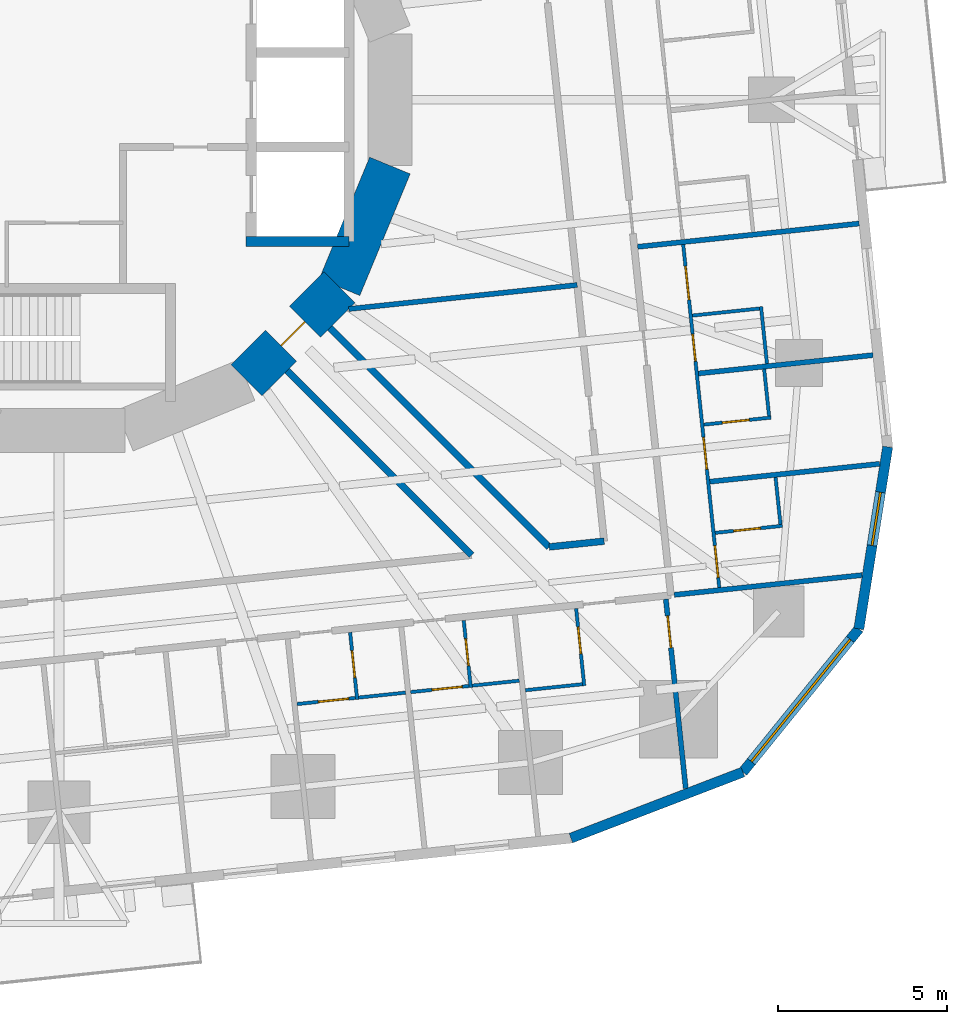
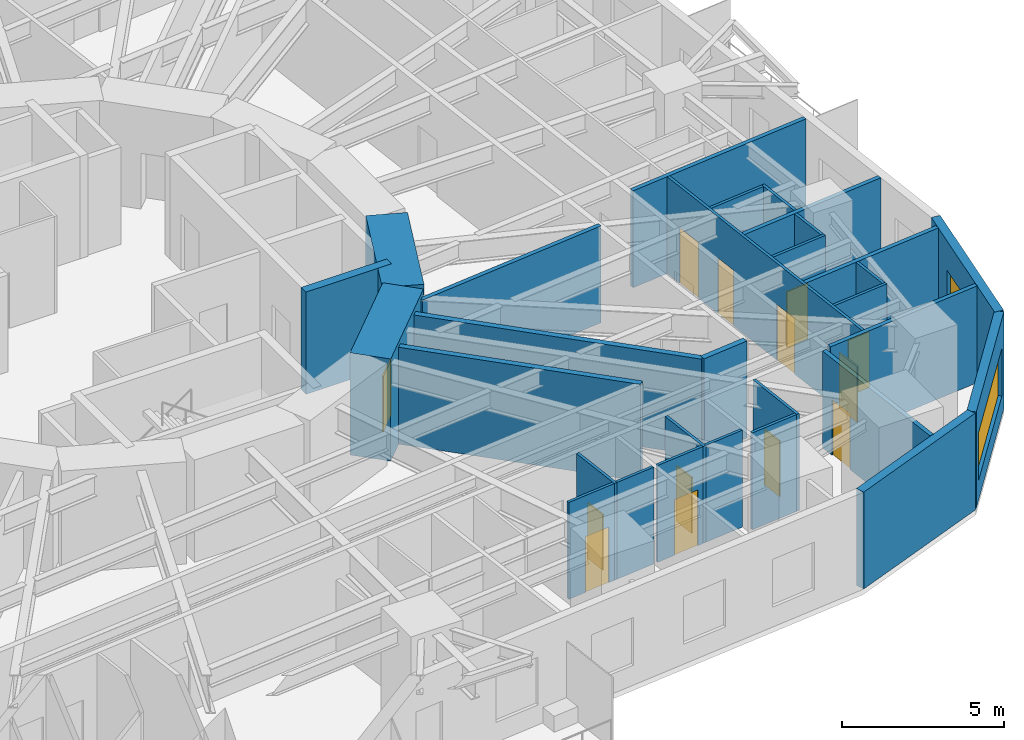
# One storey, part 8 of 15: 30 walls, 13 doors, 2 windows, 15 openings.
"""IFC4 building model written with IfcOpenShell, lengths in metres."""

import ifcopenshell
import ifcopenshell.guid

model = None  # the IFC model being written
_history = None  # IfcOwnerHistory: only IFC2X3 demands one
_inside = {}  # id of a spatial element -> (the spatial element, [elements in it])
_under = {}  # id of a project, library or spatial element -> (it, [spatial elements below it])
_declared = {}  # id of a project -> (the project, [libraries it declares])
_typed = {}  # id of a type object -> (the type object, [elements of that type])
_made_of = {}  # id of a material, layer set ... -> (it, [elements and type objects made of it])


def new_model(schema):
    """Start an empty IFC model of exactly this schema.

    Asked for "IFC4X3", IfcOpenShell would pick the latest addendum, in which some entities
    have other attributes; the version numbers below select the first issue.
    IFC2X3 requires an IfcOwnerHistory on every rooted entity: one is made here for all.
    """
    global model, _history
    if schema == "IFC4X3":
        model = ifcopenshell.file(schema_version=(4, 3, 0, 0))
    else:
        model = ifcopenshell.file(schema=schema)
    _inside.clear()
    _under.clear()
    _declared.clear()
    _typed.clear()
    _made_of.clear()
    _history = None
    if model.schema == "IFC2X3":
        org = make("IfcOrganization", Name="unknown")
        user = make(
            "IfcPersonAndOrganization",
            ThePerson=make("IfcPerson", FamilyName="unknown"),
            TheOrganization=org,
        )
        app = make(
            "IfcApplication",
            ApplicationDeveloper=org,
            Version="unknown",
            ApplicationFullName="unknown",
            ApplicationIdentifier="unknown",
        )
        _history = make(
            "IfcOwnerHistory",
            OwningUser=user,
            OwningApplication=app,
            ChangeAction="ADDED",
            CreationDate=0,
        )
    return model


def make(cls, **values):
    """One entity of the class cls with the attributes given. An attribute that is None is left unset."""
    return model.create_entity(
        cls, **{name: value for name, value in values.items() if value is not None}
    )


def rooted(cls, **values):
    """An entity with a GlobalId (a new one), such as an element, a storey or a relation."""
    return make(cls, GlobalId=ifcopenshell.guid.new(), OwnerHistory=_history, **values)


def si_unit(unit_type, name, prefix=None):
    """IfcSIUnit, for example si_unit("LENGTHUNIT", "METRE", prefix="MILLI")."""
    return make("IfcSIUnit", UnitType=unit_type, Prefix=prefix, Name=name)


def assignment(units):
    """IfcUnitAssignment: the units of a project."""
    return None if units is None else make("IfcUnitAssignment", Units=units)


def point(xyz):
    """IfcCartesianPoint."""
    return None if xyz is None else make("IfcCartesianPoint", Coordinates=xyz)


def direction(xyz):
    """IfcDirection."""
    return None if xyz is None else make("IfcDirection", DirectionRatios=xyz)


def frame(location, z_axis=None, x_axis=None):
    """IfcAxis2Placement3D, a coordinate frame: its origin and axes. An axis left out is left unset."""
    return make(
        "IfcAxis2Placement3D",
        Location=point(location),
        Axis=direction(z_axis),
        RefDirection=direction(x_axis),
    )


def frame_2d(location, x_axis=None):
    """IfcAxis2Placement2D, a coordinate frame in the plane: its origin and x axis."""
    return make(
        "IfcAxis2Placement2D", Location=point(location), RefDirection=direction(x_axis)
    )


def origin():
    """The frame at (0, 0, 0) with its axes left unset."""
    return frame((0.0, 0.0, 0.0))


def place(relative_to, where):
    """IfcLocalPlacement: puts the frame where relative to a parent placement (None: the world)."""
    return make(
        "IfcLocalPlacement", PlacementRelTo=relative_to, RelativePlacement=where
    )


def context(
    kind, dimensions, precision=None, world=None, true_north=None, identifier=None
):
    """IfcGeometricRepresentationContext, for example the 3D "Model" context."""
    return make(
        "IfcGeometricRepresentationContext",
        ContextIdentifier=identifier,
        ContextType=kind,
        CoordinateSpaceDimension=dimensions,
        Precision=precision,
        WorldCoordinateSystem=world,
        TrueNorth=true_north,
    )


def subcontext(parent, identifier, kind, view, scale=None):
    """IfcGeometricRepresentationSubContext, for example "Body" below "Model"."""
    return make(
        "IfcGeometricRepresentationSubContext",
        ContextIdentifier=identifier,
        ContextType=kind,
        ParentContext=parent,
        TargetScale=scale,
        TargetView=view,
    )


def project(units=None, contexts=None):
    """IfcProject with its units and contexts."""
    return rooted(
        "IfcProject",
        Name="project",
        RepresentationContexts=contexts,
        UnitsInContext=assignment(units),
    )


def spatial(cls, under=None, at=None, **own):
    """A site, building, storey or space (cls), placed at a placement, below another one or the project."""
    s = rooted(cls, ObjectPlacement=at, **own)
    if under is not None:
        _under.setdefault(under.id(), (under, []))[1].append(s)
    return s


def profile(cls, at=None, kind="AREA", **sizes):
    """A parametric profile (cls). Its sizes go by their IFC names, for example OverallWidth=200.0."""
    return make(cls, ProfileType=kind, Position=at, **sizes)


def rectangle(**sizes):
    """IfcRectangleProfileDef."""
    return profile("IfcRectangleProfileDef", **sizes)


def extrude(swept, where, along, depth):
    """IfcExtrudedAreaSolid: the profile swept, set in the frame where, extruded along a direction by depth."""
    return make(
        "IfcExtrudedAreaSolid",
        SweptArea=swept,
        Position=where,
        ExtrudedDirection=direction(along),
        Depth=depth,
    )


def shape(context_of_items, identifier, shape_type, items):
    """IfcShapeRepresentation: the items that make up one representation, for example the "Body"."""
    return make(
        "IfcShapeRepresentation",
        ContextOfItems=context_of_items,
        RepresentationIdentifier=identifier,
        RepresentationType=shape_type,
        Items=items,
    )


def material(Name=None, Category=None):
    """IfcMaterial."""
    return make("IfcMaterial", Name=Name, Category=Category)


def layer(
    of_material, thickness, ventilated=None, Name=None, Category=None, Priority=None
):
    """IfcMaterialLayer: one layer of a wall or slab, of a material (None: an air gap)."""
    return make(
        "IfcMaterialLayer",
        Material=of_material,
        LayerThickness=thickness,
        IsVentilated=ventilated,
        Name=Name,
        Category=Category,
        Priority=Priority,
    )


def layer_set(layers, Name=None):
    """IfcMaterialLayerSet."""
    return make("IfcMaterialLayerSet", MaterialLayers=layers, LayerSetName=Name)


def made_of(thing, what):
    """Note that an element or type object is made of a material, layer set ...; save() writes the relation."""
    if what is not None:
        _made_of.setdefault(what.id(), (what, []))[1].append(thing)
    return thing


def type_object(cls, material=None, **own):
    """A type object (cls), such as IfcWallType, which elements share."""
    return made_of(rooted(cls, **own), material)


def element(
    cls,
    number,
    at=None,
    inside=None,
    cuts=None,
    type_object=None,
    material=None,
    context=None,
    identifier="Body",
    shape_type=None,
    held_by="IfcProductDefinitionShape",
    body=None,
    shapes=None,
    **own,
):
    """One element of the class cls, such as IfcWall. Its Tag is "e" and its number.

    at: its placement. inside: the storey or other place that contains it. cuts: it is an
    opening in that element (IfcRelVoidsElement). A single representation is given by context,
    identifier, shape_type and body (its items); several are given by shapes. held_by: the class
    of the entity that holds the representations. save() writes the other relations.
    """
    e = rooted(cls, Tag="e%d" % number, ObjectPlacement=at, **own)
    if body is not None:
        shapes = [shape(context, identifier, shape_type, body)]
    if shapes is not None:
        e.Representation = make(held_by, Representations=shapes)
    if inside is not None:
        _inside.setdefault(inside.id(), (inside, []))[1].append(e)
    if cuts is not None:
        rooted(
            "IfcRelVoidsElement", RelatingBuildingElement=cuts, RelatedOpeningElement=e
        )
    if type_object is not None:
        _typed.setdefault(type_object.id(), (type_object, []))[1].append(e)
    return made_of(e, material)


def fill(opening, filler):
    """IfcRelFillsElement: the door or window that sits in an opening."""
    return rooted(
        "IfcRelFillsElement",
        RelatingOpeningElement=opening,
        RelatedBuildingElement=filler,
    )


def aggregate(whole, parts):
    """IfcRelAggregates: a whole, such as a stair, and the parts it consists of."""
    return rooted("IfcRelAggregates", RelatingObject=whole, RelatedObjects=parts)


def save(model, path):
    """Write the relations noted so far, then the file.

    IfcRelAggregates (storeys below a building ...), IfcRelContainedInSpatialStructure (elements
    in a storey), IfcRelDefinesByType, IfcRelAssociatesMaterial and IfcRelDeclares: one each for
    every whole, place, type object, material and project.
    """
    for whole, parts in _under.values():
        aggregate(whole, parts)
    for where, things in _inside.values():
        rooted(
            "IfcRelContainedInSpatialStructure",
            RelatedElements=things,
            RelatingStructure=where,
        )
    for kind, things in _typed.values():
        rooted("IfcRelDefinesByType", RelatedObjects=things, RelatingType=kind)
    for what, things in _made_of.values():
        rooted("IfcRelAssociatesMaterial", RelatedObjects=things, RelatingMaterial=what)
    for by, libraries in _declared.values():
        rooted("IfcRelDeclares", RelatingContext=by, RelatedDefinitions=libraries)
    model.write(path)


model = new_model("IFC4")

# Units and contexts
model_context = context("Model", 3, precision=1e-05, world=origin(), true_north=direction((0.0, 1.0)))
body_context = subcontext(model_context, "Body", "Model", "MODEL_VIEW")
ifc_project = project(units=[si_unit("LENGTHUNIT", "METRE"), si_unit("AREAUNIT", "SQUARE_METRE"), si_unit("VOLUMEUNIT", "CUBIC_METRE"), si_unit("PLANEANGLEUNIT", "RADIAN"), si_unit("MASSUNIT", "GRAM", prefix="KILO")], contexts=[model_context])

# Site, building, storey
site_placement = place(None, origin())
site = spatial("IfcSite", under=ifc_project, at=site_placement, CompositionType="ELEMENT")
building_placement = place(site_placement, origin())
building = spatial("IfcBuilding", under=site, at=building_placement, Name="Nakasero Lantern House", CompositionType="ELEMENT")
storey_placement = place(building_placement, frame((0.0, 0.0, 72.050048828125)))
storey = spatial("IfcBuildingStorey", under=building, at=storey_placement, Name="L17", CompositionType="ELEMENT", Elevation=72.050048828125)

# Wall, openings, doors
ifc_material_1 = material(Name="Blockwork", Category="masonry")
ifc_layer_1 = layer(ifc_material_1, 0.10009765625)
ifc_layer_set_1 = layer_set([ifc_layer_1], Name="Cluster hall wall 100")
wall_type_1 = type_object("IfcWallType", Name="Cluster hall wall 100", PredefinedType="PARTITIONING", material=ifc_layer_set_1)
wall_1_placement = place(storey_placement, frame((19.568603515625, -14.458740234375, 0.0), z_axis=(0.0, 0.0, 1.0), x_axis=(-0.104541804513, 0.994520493056, 0.0)))
wall_1 = element("IfcWall", 1, at=wall_1_placement, inside=storey, type_object=wall_type_1, Name="Cluster hall wall L17 HW0-0", PredefinedType="PARTITIONING", context=body_context, shape_type="SweptSolid", body=[
    extrude(rectangle(XDim=10.2216796875, YDim=0.10009765625, at=frame_2d((5.11083984375, 0.0))), origin(), (0.0, 0.0, 1.0), 3.64990234375),
])
opening_1_placement = place(wall_1_placement, frame((8.57568359375, 0.0, 0.0)))
opening_1 = element("IfcOpeningElement", 2, at=opening_1_placement, cuts=wall_1, Name="Opening D03", PredefinedType="OPENING", context=body_context, shape_type="SweptSolid", body=[
    extrude(rectangle(XDim=1.0, YDim=2.10009765625, at=frame_2d((0.5, 1.050048828125))), frame((0.0, 0.070068359375, 0.0), z_axis=(0.0, -1.0, 0.0), x_axis=(1.0, 0.0, 0.0)), (0.0, 0.0, 1.0), 0.14013671875),
])
opening_2_placement = place(wall_1_placement, frame((6.75048828125, 0.0, 0.0)))
opening_2 = element("IfcOpeningElement", 3, at=opening_2_placement, cuts=wall_1, Name="Opening D02", PredefinedType="OPENING", context=body_context, shape_type="SweptSolid", body=[
    extrude(rectangle(XDim=0.800048828125, YDim=2.10009765625, at=frame_2d((0.39990234375, 1.050048828125))), frame((0.0, 0.070068359375, 0.0), z_axis=(0.0, -1.0, 0.0), x_axis=(1.0, 0.0, 0.0)), (0.0, 0.0, 1.0), 0.14013671875),
])
opening_3_placement = place(wall_1_placement, frame((0.300048828125, 0.0, 0.0)))
opening_3 = element("IfcOpeningElement", 4, at=opening_3_placement, cuts=wall_1, Name="Opening D01", PredefinedType="OPENING", context=body_context, shape_type="SweptSolid", body=[
    extrude(rectangle(XDim=0.949951171875, YDim=2.10009765625, at=frame_2d((0.47509765625, 1.050048828125))), frame((0.0, 0.070068359375, 0.0), z_axis=(0.0, -1.0, 0.0), x_axis=(1.0, 0.0, 0.0)), (0.0, 0.0, 1.0), 0.14013671875),
])
opening_4_placement = place(wall_1_placement, frame((3.525390625, 0.0, 0.0)))
opening_4 = element("IfcOpeningElement", 5, at=opening_4_placement, cuts=wall_1, Name="Opening D01", PredefinedType="OPENING", context=body_context, shape_type="SweptSolid", body=[
    extrude(rectangle(XDim=0.949951171875, YDim=2.10009765625, at=frame_2d((0.47509765625, 1.050048828125))), frame((0.0, 0.070068359375, 0.0), z_axis=(0.0, -1.0, 0.0), x_axis=(1.0, 0.0, 0.0)), (0.0, 0.0, 1.0), 0.14013671875),
])
ifc_material_2 = material(Name="Timber C24", Category="wood")
door_type_1 = type_object("IfcDoorType", Name="Bedroom door FD30S 950", OperationType="SINGLE_SWING_LEFT", PredefinedType="DOOR", material=ifc_material_2)
door_1_placement = place(opening_3_placement, origin())
door_1 = element("IfcDoor", 6, at=door_1_placement, inside=storey, type_object=door_type_1, Name="Door L17 D0-00", OperationType="SINGLE_SWING_LEFT", OverallHeight=2.10009765625, OverallWidth=0.949951171875, PredefinedType="DOOR", context=body_context, shape_type="SweptSolid", body=[
    extrude(rectangle(XDim=0.949951171875, YDim=2.10009765625, at=frame_2d((0.47509765625, 1.050048828125))), frame((0.0, 0.02490234375, 0.0), z_axis=(0.0, -1.0, 0.0), x_axis=(1.0, 0.0, 0.0)), (0.0, 0.0, 1.0), 0.050048828125),
])
fill(opening_3, door_1)
door_2_placement = place(opening_4_placement, origin())
door_2 = element("IfcDoor", 7, at=door_2_placement, inside=storey, type_object=door_type_1, Name="Door L17 D0-01", OperationType="SINGLE_SWING_LEFT", OverallHeight=2.10009765625, OverallWidth=0.949951171875, PredefinedType="DOOR", context=body_context, shape_type="SweptSolid", body=[
    extrude(rectangle(XDim=0.949951171875, YDim=2.10009765625, at=frame_2d((0.47509765625, 1.050048828125))), frame((0.0, 0.02490234375, 0.0), z_axis=(0.0, -1.0, 0.0), x_axis=(1.0, 0.0, 0.0)), (0.0, 0.0, 1.0), 0.050048828125),
])
fill(opening_4, door_2)
ifc_material_3 = material(Name="Timber C24", Category="wood")
door_type_2 = type_object("IfcDoorType", Name="En-suite door 800", OperationType="SINGLE_SWING_RIGHT", PredefinedType="DOOR", material=ifc_material_3)
door_3_placement = place(opening_2_placement, origin())
door_3 = element("IfcDoor", 8, at=door_3_placement, inside=storey, type_object=door_type_2, Name="Door L17 DSH0-0", OperationType="SINGLE_SWING_RIGHT", OverallHeight=2.10009765625, OverallWidth=0.800048828125, PredefinedType="DOOR", context=body_context, shape_type="SweptSolid", body=[
    extrude(rectangle(XDim=0.800048828125, YDim=2.10009765625, at=frame_2d((0.39990234375, 1.050048828125))), frame((0.0, 0.02490234375, 0.0), z_axis=(0.0, -1.0, 0.0), x_axis=(1.0, 0.0, 0.0)), (0.0, 0.0, 1.0), 0.050048828125),
])
fill(opening_2, door_3)
ifc_material_4 = material(Name="Timber C24", Category="wood")
door_type_3 = type_object("IfcDoorType", Name="Lounge door FD30S 1000", OperationType="SINGLE_SWING_LEFT", PredefinedType="DOOR", material=ifc_material_4)
door_4_placement = place(opening_1_placement, origin())
door_4 = element("IfcDoor", 9, at=door_4_placement, inside=storey, type_object=door_type_3, Name="Door L17 DH0-0", OperationType="SINGLE_SWING_RIGHT", OverallHeight=2.10009765625, OverallWidth=1.0, PredefinedType="DOOR", context=body_context, shape_type="SweptSolid", body=[
    extrude(rectangle(XDim=1.0, YDim=2.10009765625, at=frame_2d((0.5, 1.050048828125))), frame((0.0, 0.02490234375, 0.0), z_axis=(0.0, -1.0, 0.0), x_axis=(1.0, 0.0, 0.0)), (0.0, 0.0, 1.0), 0.050048828125),
])
fill(opening_1, door_4)

# Wall
ifc_material_5 = material(Name="Concrete C50/60", Category="concrete")
ifc_layer_2 = layer(ifc_material_5, 0.300048828125)
ifc_layer_set_2 = layer_set([ifc_layer_2], Name="Core inner wall 300")
wall_type_2 = type_object("IfcWallType", Name="Core inner wall 300", PredefinedType="SHEAR", material=ifc_layer_set_2)
wall_2_placement = place(storey_placement, frame((5.550048828125, -4.199951171875, 0.0), z_axis=(0.0, 0.0, 1.0), x_axis=(1.0, 0.0, 0.0)))
element("IfcWall", 10, at=wall_2_placement, inside=storey, type_object=wall_type_2, Name="Core inner wall L17 LES", PredefinedType="SHEAR", context=body_context, shape_type="SweptSolid", body=[
    extrude(rectangle(XDim=3.050048828125, YDim=0.300048828125, at=frame_2d((1.52490234375, 0.0))), origin(), (0.0, 0.0, 1.0), 3.849853515625),
])

# Wall, opening, door
ifc_material_6 = material(Name="Concrete C50/60", Category="concrete")
ifc_layer_3 = layer(ifc_material_6, 1.300048828125)
ifc_layer_set_3 = layer_set([ifc_layer_3], Name="Core wall 1300")
wall_type_3 = type_object("IfcWallType", Name="Core wall 1300", PredefinedType="SHEAR", material=ifc_layer_set_3)
wall_3_placement = place(storey_placement, frame((5.5556640625, -8.314697265625, 0.0), z_axis=(0.0, 0.0, 1.0), x_axis=(0.707106781187, 0.707106781187, 0.0)))
wall_3 = element("IfcWall", 11, at=wall_3_placement, inside=storey, type_object=wall_type_3, Name="Core wall L17 facet 14", PredefinedType="SHEAR", context=body_context, shape_type="SweptSolid", body=[
    extrude(rectangle(XDim=3.90185546875, YDim=1.300048828125, at=frame_2d((1.950927734375, 0.0))), origin(), (0.0, 0.0, 1.0), 3.849853515625),
])
opening_5_placement = place(wall_3_placement, frame((1.450927734375, 0.0, 0.0)))
opening_5 = element("IfcOpeningElement", 12, at=opening_5_placement, cuts=wall_3, Name="Opening D05", PredefinedType="OPENING", context=body_context, shape_type="SweptSolid", body=[
    extrude(rectangle(XDim=1.0, YDim=2.10009765625, at=frame_2d((0.5, 1.050048828125))), frame((0.0, 0.669921875, 0.0), z_axis=(0.0, -1.0, 0.0), x_axis=(1.0, 0.0, 0.0)), (0.0, 0.0, 1.0), 1.340087890625),
])
ifc_material_7 = material(Name="Timber C24", Category="wood")
door_type_4 = type_object("IfcDoorType", Name="Core door FD60S 1000", OperationType="SINGLE_SWING_LEFT", PredefinedType="DOOR", material=ifc_material_7)
door_5_placement = place(opening_5_placement, origin())
door_5 = element("IfcDoor", 13, at=door_5_placement, inside=storey, type_object=door_type_4, Name="Door L17 D-CORE14", OperationType="SINGLE_SWING_LEFT", OverallHeight=2.10009765625, OverallWidth=1.0, PredefinedType="DOOR", context=body_context, shape_type="SweptSolid", body=[
    extrude(rectangle(XDim=1.0, YDim=2.10009765625, at=frame_2d((0.5, 1.050048828125))), frame((0.0, 0.02490234375, 0.0), z_axis=(0.0, -1.0, 0.0), x_axis=(1.0, 0.0, 0.0)), (0.0, 0.0, 1.0), 0.050048828125),
])
fill(opening_5, door_5)

# Walls
wall_4_placement = place(storey_placement, frame((8.314697265625, -5.5556640625, 0.0), z_axis=(0.0, 0.0, 1.0), x_axis=(0.382690736062, 0.923876507187, 0.0)))
element("IfcWall", 14, at=wall_4_placement, inside=storey, type_object=wall_type_3, Name="Core wall L17 facet 15", PredefinedType="SHEAR", context=body_context, shape_type="SweptSolid", body=[
    extrude(rectangle(XDim=3.90185546875, YDim=1.300048828125, at=frame_2d((1.950927734375, 0.0))), origin(), (0.0, 0.0, 1.0), 3.849853515625),
])
ifc_material_8 = material(Name="Blockwork", Category="masonry")
ifc_layer_4 = layer(ifc_material_8, 0.199951171875)
ifc_layer_set_4 = layer_set([ifc_layer_4], Name="Corridor wall 200")
wall_type_4 = type_object("IfcWallType", Name="Corridor wall 200", PredefinedType="PARTITIONING", material=ifc_layer_set_4)
wall_5_placement = place(storey_placement, frame((14.52685546875, -13.254150390625, 0.0), z_axis=(0.0, 0.0, 1.0), x_axis=(0.99452748025, 0.104475313001, 0.0)))
element("IfcWall", 15, at=wall_5_placement, inside=storey, type_object=wall_type_4, Name="Corridor wall L17 IW3-1", PredefinedType="PARTITIONING", context=body_context, shape_type="SweptSolid", body=[
    extrude(rectangle(XDim=1.63818359375, YDim=0.199951171875, at=frame_2d((0.819091796875, 0.0))), origin(), (0.0, 0.0, 1.0), 3.64990234375),
])
wall_6_placement = place(storey_placement, frame((8.03125, -6.758544921875, 0.0), z_axis=(0.0, 0.0, 1.0), x_axis=(0.707106781187, -0.707106781187, 0.0)))
element("IfcWall", 16, at=wall_6_placement, inside=storey, type_object=wall_type_4, Name="Corridor wall L17 PS14a", PredefinedType="PARTITIONING", context=body_context, shape_type="SweptSolid", body=[
    extrude(rectangle(XDim=9.186279296875, YDim=0.199951171875, at=frame_2d((4.59326171875, 0.0))), origin(), (0.0, 0.0, 1.0), 3.64990234375),
])
wall_7_placement = place(storey_placement, frame((6.758544921875, -8.03125, 0.0), z_axis=(0.0, 0.0, 1.0), x_axis=(0.707090986447, -0.707122575573, 0.0)))
element("IfcWall", 17, at=wall_7_placement, inside=storey, type_object=wall_type_4, Name="Corridor wall L17 PS14b", PredefinedType="PARTITIONING", context=body_context, shape_type="SweptSolid", body=[
    extrude(rectangle(XDim=7.728515625, YDim=0.199951171875, at=frame_2d((3.8642578125, 0.0))), origin(), (0.0, 0.0, 1.0), 3.64990234375),
])
ifc_material_9 = material(Name="Blockwork", Category="masonry")
ifc_layer_5 = layer(ifc_material_9, 0.10009765625)
ifc_layer_set_5 = layer_set([ifc_layer_5], Name="En-suite wall 100")
wall_type_5 = type_object("IfcWallType", Name="En-suite wall 100", PredefinedType="PARTITIONING", material=ifc_layer_set_5)
wall_8_placement = place(storey_placement, frame((18.771484375, -6.397216796875, 0.0), z_axis=(0.0, 0.0, 1.0), x_axis=(0.994523910136, 0.104509292252, 0.0)))
element("IfcWall", 18, at=wall_8_placement, inside=storey, type_object=wall_type_5, Name="En-suite wall L17 SS0-0", PredefinedType="PARTITIONING", context=body_context, shape_type="SweptSolid", body=[
    extrude(rectangle(XDim=2.10009765625, YDim=0.10009765625, at=frame_2d((1.050048828125, 0.0))), origin(), (0.0, 0.0, 1.0), 3.64990234375),
])
wall_9_placement = place(storey_placement, frame((20.982666015625, -7.823974609375, 0.0), z_axis=(0.0, 0.0, 1.0), x_axis=(-0.104408173862, 0.994534530939, 0.0)))
element("IfcWall", 19, at=wall_9_placement, inside=storey, type_object=wall_type_5, Name="En-suite wall L17 SE0-0", PredefinedType="PARTITIONING", context=body_context, shape_type="SweptSolid", body=[
    extrude(rectangle(XDim=1.699951171875, YDim=0.10009765625, at=frame_2d((0.85009765625, 0.0))), origin(), (0.0, 0.0, 1.0), 3.64990234375),
])

# Wall, opening, door
wall_10_placement = place(storey_placement, frame((19.448486328125, -12.837158203125, 0.0), z_axis=(0.0, 0.0, 1.0), x_axis=(0.99452550138, 0.104494148666, 0.0)))
wall_10 = element("IfcWall", 20, at=wall_10_placement, inside=storey, type_object=wall_type_5, Name="En-suite wall L17 ES0-00", PredefinedType="PARTITIONING", context=body_context, shape_type="SweptSolid", body=[
    extrude(rectangle(XDim=2.0, YDim=0.10009765625, at=frame_2d((1.0, 0.0))), origin(), (0.0, 0.0, 1.0), 3.64990234375),
])
opening_6_placement = place(wall_10_placement, frame((0.550048828125, 0.0, 0.0)))
opening_6 = element("IfcOpeningElement", 21, at=opening_6_placement, cuts=wall_10, Name="Opening D02", PredefinedType="OPENING", context=body_context, shape_type="SweptSolid", body=[
    extrude(rectangle(XDim=0.800048828125, YDim=2.10009765625, at=frame_2d((0.39990234375, 1.050048828125))), frame((0.0, 0.070068359375, 0.0), z_axis=(0.0, -1.0, 0.0), x_axis=(1.0, 0.0, 0.0)), (0.0, 0.0, 1.0), 0.14013671875),
])
door_6_placement = place(opening_6_placement, origin())
door_6 = element("IfcDoor", 22, at=door_6_placement, inside=storey, type_object=door_type_2, Name="Door L17 DE0-00", OperationType="SINGLE_SWING_LEFT", OverallHeight=2.10009765625, OverallWidth=0.800048828125, PredefinedType="DOOR", context=body_context, shape_type="SweptSolid", body=[
    extrude(rectangle(XDim=0.800048828125, YDim=2.10009765625, at=frame_2d((0.39990234375, 1.050048828125))), frame((0.0, 0.02490234375, 0.0), z_axis=(0.0, -1.0, 0.0), x_axis=(1.0, 0.0, 0.0)), (0.0, 0.0, 1.0), 0.050048828125),
])
fill(opening_6, door_6)

# Wall
wall_11_placement = place(storey_placement, frame((21.382568359375, -12.58349609375, 0.0), z_axis=(0.0, 0.0, 1.0), x_axis=(-0.104630319263, 0.994511184598, 0.0)))
element("IfcWall", 23, at=wall_11_placement, inside=storey, type_object=wall_type_5, Name="En-suite wall L17 EE0-00", PredefinedType="PARTITIONING", context=body_context, shape_type="SweptSolid", body=[
    extrude(rectangle(XDim=1.39990234375, YDim=0.10009765625, at=frame_2d((0.699951171875, 0.0))), origin(), (0.0, 0.0, 1.0), 3.64990234375),
])

# Wall, opening, door
wall_12_placement = place(storey_placement, frame((19.111328125, -9.62939453125, 0.0), z_axis=(0.0, 0.0, 1.0), x_axis=(0.99452550138, 0.104494148666, 0.0)))
wall_12 = element("IfcWall", 24, at=wall_12_placement, inside=storey, type_object=wall_type_5, Name="En-suite wall L17 ES0-01", PredefinedType="PARTITIONING", context=body_context, shape_type="SweptSolid", body=[
    extrude(rectangle(XDim=2.0, YDim=0.10009765625, at=frame_2d((1.0, 0.0))), origin(), (0.0, 0.0, 1.0), 3.64990234375),
])
opening_7_placement = place(wall_12_placement, frame((0.550048828125, 0.0, 0.0)))
opening_7 = element("IfcOpeningElement", 25, at=opening_7_placement, cuts=wall_12, Name="Opening D02", PredefinedType="OPENING", context=body_context, shape_type="SweptSolid", body=[
    extrude(rectangle(XDim=0.800048828125, YDim=2.10009765625, at=frame_2d((0.39990234375, 1.050048828125))), frame((0.0, 0.070068359375, 0.0), z_axis=(0.0, -1.0, 0.0), x_axis=(1.0, 0.0, 0.0)), (0.0, 0.0, 1.0), 0.14013671875),
])
door_7_placement = place(opening_7_placement, origin())
door_7 = element("IfcDoor", 26, at=door_7_placement, inside=storey, type_object=door_type_2, Name="Door L17 DE0-01", OperationType="SINGLE_SWING_LEFT", OverallHeight=2.10009765625, OverallWidth=0.800048828125, PredefinedType="DOOR", context=body_context, shape_type="SweptSolid", body=[
    extrude(rectangle(XDim=0.800048828125, YDim=2.10009765625, at=frame_2d((0.39990234375, 1.050048828125))), frame((0.0, 0.02490234375, 0.0), z_axis=(0.0, -1.0, 0.0), x_axis=(1.0, 0.0, 0.0)), (0.0, 0.0, 1.0), 0.050048828125),
])
fill(opening_7, door_7)

# Wall
wall_13_placement = place(storey_placement, frame((21.04541015625, -9.3759765625, 0.0), z_axis=(0.0, 0.0, 1.0), x_axis=(-0.104630319263, 0.994511184598, 0.0)))
element("IfcWall", 27, at=wall_13_placement, inside=storey, type_object=wall_type_5, Name="En-suite wall L17 EE0-01", PredefinedType="PARTITIONING", context=body_context, shape_type="SweptSolid", body=[
    extrude(rectangle(XDim=1.39990234375, YDim=0.10009765625, at=frame_2d((0.699951171875, 0.0))), origin(), (0.0, 0.0, 1.0), 3.64990234375),
])

# Wall, opening, door
wall_14_placement = place(storey_placement, frame((8.627685546875, -15.78466796875, 0.0), z_axis=(0.0, 0.0, 1.0), x_axis=(0.104614886044, -0.994512808172, 0.0)))
wall_14 = element("IfcWall", 28, at=wall_14_placement, inside=storey, type_object=wall_type_5, Name="En-suite wall L17 ES3-06", PredefinedType="PARTITIONING", context=body_context, shape_type="SweptSolid", body=[
    extrude(rectangle(XDim=2.0, YDim=0.10009765625, at=frame_2d((1.0, 0.0))), origin(), (0.0, 0.0, 1.0), 3.64990234375),
])
opening_8_placement = place(wall_14_placement, frame((0.550048828125, 0.0, 0.0)))
opening_8 = element("IfcOpeningElement", 29, at=opening_8_placement, cuts=wall_14, Name="Opening D02", PredefinedType="OPENING", context=body_context, shape_type="SweptSolid", body=[
    extrude(rectangle(XDim=0.800048828125, YDim=2.10009765625, at=frame_2d((0.39990234375, 1.050048828125))), frame((0.0, 0.070068359375, 0.0), z_axis=(0.0, -1.0, 0.0), x_axis=(1.0, 0.0, 0.0)), (0.0, 0.0, 1.0), 0.14013671875),
])
door_8_placement = place(opening_8_placement, origin())
door_8 = element("IfcDoor", 30, at=door_8_placement, inside=storey, type_object=door_type_2, Name="Door L17 DE3-06", OperationType="SINGLE_SWING_LEFT", OverallHeight=2.10009765625, OverallWidth=0.800048828125, PredefinedType="DOOR", context=body_context, shape_type="SweptSolid", body=[
    extrude(rectangle(XDim=0.800048828125, YDim=2.10009765625, at=frame_2d((0.39990234375, 1.050048828125))), frame((0.0, 0.02490234375, 0.0), z_axis=(0.0, -1.0, 0.0), x_axis=(1.0, 0.0, 0.0)), (0.0, 0.0, 1.0), 0.050048828125),
])
fill(opening_8, door_8)

# Wall
wall_15_placement = place(storey_placement, frame((8.88134765625, -17.71875, 0.0), z_axis=(0.0, 0.0, 1.0), x_axis=(0.994511184598, 0.104630319263, 0.0)))
element("IfcWall", 31, at=wall_15_placement, inside=storey, type_object=wall_type_5, Name="En-suite wall L17 EE3-06", PredefinedType="PARTITIONING", context=body_context, shape_type="SweptSolid", body=[
    extrude(rectangle(XDim=1.39990234375, YDim=0.10009765625, at=frame_2d((0.699951171875, 0.0))), origin(), (0.0, 0.0, 1.0), 3.64990234375),
])

# Wall, opening, door
wall_16_placement = place(storey_placement, frame((11.994873046875, -15.4306640625, 0.0), z_axis=(0.0, 0.0, 1.0), x_axis=(0.104494148666, -0.99452550138, 0.0)))
wall_16 = element("IfcWall", 32, at=wall_16_placement, inside=storey, type_object=wall_type_5, Name="En-suite wall L17 ES3-07", PredefinedType="PARTITIONING", context=body_context, shape_type="SweptSolid", body=[
    extrude(rectangle(XDim=2.0, YDim=0.10009765625, at=frame_2d((1.0, 0.0))), origin(), (0.0, 0.0, 1.0), 3.64990234375),
])
opening_9_placement = place(wall_16_placement, frame((0.550048828125, 0.0, 0.0)))
opening_9 = element("IfcOpeningElement", 33, at=opening_9_placement, cuts=wall_16, Name="Opening D02", PredefinedType="OPENING", context=body_context, shape_type="SweptSolid", body=[
    extrude(rectangle(XDim=0.800048828125, YDim=2.10009765625, at=frame_2d((0.39990234375, 1.050048828125))), frame((0.0, 0.070068359375, 0.0), z_axis=(0.0, -1.0, 0.0), x_axis=(1.0, 0.0, 0.0)), (0.0, 0.0, 1.0), 0.14013671875),
])
door_9_placement = place(opening_9_placement, origin())
door_9 = element("IfcDoor", 34, at=door_9_placement, inside=storey, type_object=door_type_2, Name="Door L17 DE3-07", OperationType="SINGLE_SWING_LEFT", OverallHeight=2.10009765625, OverallWidth=0.800048828125, PredefinedType="DOOR", context=body_context, shape_type="SweptSolid", body=[
    extrude(rectangle(XDim=0.800048828125, YDim=2.10009765625, at=frame_2d((0.39990234375, 1.050048828125))), frame((0.0, 0.02490234375, 0.0), z_axis=(0.0, -1.0, 0.0), x_axis=(1.0, 0.0, 0.0)), (0.0, 0.0, 1.0), 0.050048828125),
])
fill(opening_9, door_9)

# Wall
wall_17_placement = place(storey_placement, frame((12.248291015625, -17.36474609375, 0.0), z_axis=(0.0, 0.0, 1.0), x_axis=(0.994529315664, 0.104457839748, 0.0)))
element("IfcWall", 35, at=wall_17_placement, inside=storey, type_object=wall_type_5, Name="En-suite wall L17 EE3-07", PredefinedType="PARTITIONING", context=body_context, shape_type="SweptSolid", body=[
    extrude(rectangle(XDim=1.39990234375, YDim=0.10009765625, at=frame_2d((0.699951171875, 0.0))), origin(), (0.0, 0.0, 1.0), 3.64990234375),
])

# Wall, opening, door
wall_18_placement = place(storey_placement, frame((15.326416015625, -15.08056640625, 0.0), z_axis=(0.0, 0.0, 1.0), x_axis=(0.104557694553, -0.994518822602, 0.0)))
wall_18 = element("IfcWall", 36, at=wall_18_placement, inside=storey, type_object=wall_type_5, Name="En-suite wall L17 ES3-08", PredefinedType="PARTITIONING", context=body_context, shape_type="SweptSolid", body=[
    extrude(rectangle(XDim=2.300048828125, YDim=0.10009765625, at=frame_2d((1.14990234375, 0.0))), origin(), (0.0, 0.0, 1.0), 3.64990234375),
])
opening_10_placement = place(wall_18_placement, frame((0.550048828125, 0.0, 0.0)))
opening_10 = element("IfcOpeningElement", 37, at=opening_10_placement, cuts=wall_18, Name="Opening D02", PredefinedType="OPENING", context=body_context, shape_type="SweptSolid", body=[
    extrude(rectangle(XDim=0.800048828125, YDim=2.10009765625, at=frame_2d((0.39990234375, 1.050048828125))), frame((0.0, 0.070068359375, 0.0), z_axis=(0.0, -1.0, 0.0), x_axis=(1.0, 0.0, 0.0)), (0.0, 0.0, 1.0), 0.14013671875),
])
door_10_placement = place(opening_10_placement, origin())
door_10 = element("IfcDoor", 38, at=door_10_placement, inside=storey, type_object=door_type_2, Name="Door L17 DE3-08", OperationType="SINGLE_SWING_LEFT", OverallHeight=2.10009765625, OverallWidth=0.800048828125, PredefinedType="DOOR", context=body_context, shape_type="SweptSolid", body=[
    extrude(rectangle(XDim=0.800048828125, YDim=2.10009765625, at=frame_2d((0.39990234375, 1.050048828125))), frame((0.0, 0.02490234375, 0.0), z_axis=(0.0, -1.0, 0.0), x_axis=(1.0, 0.0, 0.0)), (0.0, 0.0, 1.0), 0.050048828125),
])
fill(opening_10, door_10)

# Wall
wall_19_placement = place(storey_placement, frame((13.8212890625, -17.501220703125, 0.0), z_axis=(0.0, 0.0, 1.0), x_axis=(0.994519608382, 0.104550220202, 0.0)))
element("IfcWall", 39, at=wall_19_placement, inside=storey, type_object=wall_type_5, Name="En-suite wall L17 EE3-08", PredefinedType="PARTITIONING", context=body_context, shape_type="SweptSolid", body=[
    extrude(rectangle(XDim=1.699951171875, YDim=0.10009765625, at=frame_2d((0.85009765625, 0.0))), origin(), (0.0, 0.0, 1.0), 3.64990234375),
])

# Wall, opening, door
wall_20_placement = place(storey_placement, frame((7.055908203125, -17.91064453125, 0.0), z_axis=(0.0, 0.0, 1.0), x_axis=(0.99452316669, 0.10451636674, 0.0)))
wall_20 = element("IfcWall", 40, at=wall_20_placement, inside=storey, type_object=wall_type_5, Name="En-suite wall L17 EL3-06", PredefinedType="PARTITIONING", context=body_context, shape_type="SweptSolid", body=[
    extrude(rectangle(XDim=1.735595703125, YDim=0.10009765625, at=frame_2d((0.86767578125, 0.0))), origin(), (0.0, 0.0, 1.0), 3.64990234375),
])
opening_11_placement = place(wall_20_placement, frame((0.635498046875, 0.0, 0.0)))
opening_11 = element("IfcOpeningElement", 41, at=opening_11_placement, cuts=wall_20, Name="Opening D17", PredefinedType="OPENING", context=body_context, shape_type="SweptSolid", body=[
    extrude(rectangle(XDim=0.89990234375, YDim=2.10009765625, at=frame_2d((0.449951171875, 1.050048828125))), frame((0.0, 0.070068359375, 0.0), z_axis=(0.0, -1.0, 0.0), x_axis=(1.0, 0.0, 0.0)), (0.0, 0.0, 1.0), 0.14013671875),
])
ifc_material_10 = material(Name="Timber C24", Category="wood")
door_type_5 = type_object("IfcDoorType", Name="Bedroom door FD30S 900", OperationType="SINGLE_SWING_LEFT", PredefinedType="DOOR", material=ifc_material_10)
door_11_placement = place(opening_11_placement, origin())
door_11 = element("IfcDoor", 42, at=door_11_placement, inside=storey, type_object=door_type_5, Name="Door L17 DL3-06", OperationType="SINGLE_SWING_RIGHT", OverallHeight=2.10009765625, OverallWidth=0.89990234375, PredefinedType="DOOR", context=body_context, shape_type="SweptSolid", body=[
    extrude(rectangle(XDim=0.89990234375, YDim=2.10009765625, at=frame_2d((0.449951171875, 1.050048828125))), frame((0.0, 0.02490234375, 0.0), z_axis=(0.0, -1.0, 0.0), x_axis=(1.0, 0.0, 0.0)), (0.0, 0.0, 1.0), 0.050048828125),
])
fill(opening_11, door_11)

wall_21_placement = place(storey_placement, frame((10.4228515625, -17.556640625, 0.0), z_axis=(0.0, 0.0, 1.0), x_axis=(0.99452316669, 0.10451636674, 0.0)))
wall_21 = element("IfcWall", 43, at=wall_21_placement, inside=storey, type_object=wall_type_5, Name="En-suite wall L17 EL3-07", PredefinedType="PARTITIONING", context=body_context, shape_type="SweptSolid", body=[
    extrude(rectangle(XDim=1.735595703125, YDim=0.10009765625, at=frame_2d((0.86767578125, 0.0))), origin(), (0.0, 0.0, 1.0), 3.64990234375),
])
opening_12_placement = place(wall_21_placement, frame((0.635498046875, 0.0, 0.0)))
opening_12 = element("IfcOpeningElement", 44, at=opening_12_placement, cuts=wall_21, Name="Opening D17", PredefinedType="OPENING", context=body_context, shape_type="SweptSolid", body=[
    extrude(rectangle(XDim=0.89990234375, YDim=2.10009765625, at=frame_2d((0.449951171875, 1.050048828125))), frame((0.0, 0.070068359375, 0.0), z_axis=(0.0, -1.0, 0.0), x_axis=(1.0, 0.0, 0.0)), (0.0, 0.0, 1.0), 0.14013671875),
])
door_12_placement = place(opening_12_placement, origin())
door_12 = element("IfcDoor", 45, at=door_12_placement, inside=storey, type_object=door_type_5, Name="Door L17 DL3-07", OperationType="SINGLE_SWING_RIGHT", OverallHeight=2.10009765625, OverallWidth=0.89990234375, PredefinedType="DOOR", context=body_context, shape_type="SweptSolid", body=[
    extrude(rectangle(XDim=0.89990234375, YDim=2.10009765625, at=frame_2d((0.449951171875, 1.050048828125))), frame((0.0, 0.02490234375, 0.0), z_axis=(0.0, -1.0, 0.0), x_axis=(1.0, 0.0, 0.0)), (0.0, 0.0, 1.0), 0.050048828125),
])
fill(opening_12, door_12)

# Wall
ifc_material_11 = material(Name="Aluminium rainscreen on blockwork", Category="masonry")
ifc_layer_6 = layer(ifc_material_11, 0.300048828125)
ifc_layer_set_6 = layer_set([ifc_layer_6], Name="Facade wall 300")
wall_type_6 = type_object("IfcWallType", Name="Facade wall 300", PredefinedType="SOLIDWALL", material=ifc_layer_set_6)
wall_22_placement = place(storey_placement, frame((15.170654296875, -21.884033203125, 0.0), z_axis=(0.0, 0.0, 1.0), x_axis=(0.933583906079, 0.358358884793, 0.0)))
element("IfcWall", 46, at=wall_22_placement, inside=storey, type_object=wall_type_6, Name="Facade wall L17 FW3C1", PredefinedType="SOLIDWALL", context=body_context, shape_type="SweptSolid", body=[
    extrude(rectangle(XDim=5.461181640625, YDim=0.300048828125, at=frame_2d((2.73046875, 0.0))), origin(), (0.0, 0.0, 1.0), 3.64990234375),
])

# Wall, opening, window
wall_23_placement = place(storey_placement, frame((20.26904296875, -19.927001953125, 0.0), z_axis=(0.0, 0.0, 1.0), x_axis=(0.629334543442, 0.777134500863, 0.0)))
wall_23 = element("IfcWall", 47, at=wall_23_placement, inside=storey, type_object=wall_type_6, Name="Facade wall L17 FW3C2", PredefinedType="SOLIDWALL", context=body_context, shape_type="SweptSolid", body=[
    extrude(rectangle(XDim=5.4609375, YDim=0.300048828125, at=frame_2d((2.73046875, 0.0))), origin(), (0.0, 0.0, 1.0), 3.64990234375),
])
opening_13_placement = place(wall_23_placement, frame((0.39990234375, 0.0, 0.75)))
opening_13 = element("IfcOpeningElement", 48, at=opening_13_placement, cuts=wall_23, Name="Opening W246", PredefinedType="OPENING", context=body_context, shape_type="SweptSolid", body=[
    extrude(rectangle(XDim=4.660888671875, YDim=1.800048828125, at=frame_2d((2.33056640625, 0.89990234375))), frame((0.0, 0.169921875, 0.0), z_axis=(0.0, -1.0, 0.0), x_axis=(1.0, 0.0, 0.0)), (0.0, 0.0, 1.0), 0.340087890625),
])
ifc_material_12 = material(Name="Aluminium 6063-T6 and glass", Category="aluminium")
window_type_1 = type_object("IfcWindowType", Name="Corner window 4661x1800", PartitioningType="SINGLE_PANEL", PredefinedType="WINDOW", material=ifc_material_12)
window_1_placement = place(opening_13_placement, origin())
window_1 = element("IfcWindow", 49, at=window_1_placement, inside=storey, type_object=window_type_1, Name="Window L17 WC3", OverallHeight=1.800048828125, OverallWidth=4.660888671875, PartitioningType="SINGLE_PANEL", PredefinedType="WINDOW", context=body_context, shape_type="SweptSolid", body=[
    extrude(rectangle(XDim=4.660888671875, YDim=1.800048828125, at=frame_2d((2.33056640625, 0.89990234375))), frame((0.0, 0.030029296875, 0.0), z_axis=(0.0, -1.0, 0.0), x_axis=(1.0, 0.0, 0.0)), (0.0, 0.0, 1.0), 0.06005859375),
])
fill(opening_13, window_1)

wall_24_placement = place(storey_placement, frame((23.705810546875, -15.68310546875, 0.0), z_axis=(0.0, 0.0, 1.0), x_axis=(0.156419383601, 0.987690729142, 0.0)))
wall_24 = element("IfcWall", 50, at=wall_24_placement, inside=storey, type_object=wall_type_6, Name="Facade wall L17 FW3C3", PredefinedType="SOLIDWALL", context=body_context, shape_type="SweptSolid", body=[
    extrude(rectangle(XDim=5.461181640625, YDim=0.300048828125, at=frame_2d((2.73046875, 0.0))), origin(), (0.0, 0.0, 1.0), 3.64990234375),
])
opening_14_placement = place(wall_24_placement, frame((2.5, 0.0, 0.75)))
opening_14 = element("IfcOpeningElement", 51, at=opening_14_placement, cuts=wall_24, Name="Opening W01", PredefinedType="OPENING", context=body_context, shape_type="SweptSolid", body=[
    extrude(rectangle(XDim=1.60009765625, YDim=1.800048828125, at=frame_2d((0.800048828125, 0.89990234375))), frame((0.0, 0.169921875, 0.0), z_axis=(0.0, -1.0, 0.0), x_axis=(1.0, 0.0, 0.0)), (0.0, 0.0, 1.0), 0.340087890625),
])
ifc_material_13 = material(Name="Aluminium 6063-T6 and glass", Category="aluminium")
window_type_2 = type_object("IfcWindowType", Name="Bedroom window 1600x1800", PartitioningType="SINGLE_PANEL", PredefinedType="WINDOW", material=ifc_material_13)
window_2_placement = place(opening_14_placement, origin())
window_2 = element("IfcWindow", 52, at=window_2_placement, inside=storey, type_object=window_type_2, Name="Window L17 WN0-00", OverallHeight=1.800048828125, OverallWidth=1.60009765625, PartitioningType="SINGLE_PANEL", PredefinedType="WINDOW", context=body_context, shape_type="SweptSolid", body=[
    extrude(rectangle(XDim=1.60009765625, YDim=1.800048828125, at=frame_2d((0.800048828125, 0.89990234375))), frame((0.0, 0.030029296875, 0.0), z_axis=(0.0, -1.0, 0.0), x_axis=(1.0, 0.0, 0.0)), (0.0, 0.0, 1.0), 0.06005859375),
])
fill(opening_14, window_2)

# Walls
ifc_material_14 = material(Name="Blockwork", Category="masonry")
ifc_layer_7 = layer(ifc_material_14, 0.14990234375)
ifc_layer_set_7 = layer_set([ifc_layer_7], Name="Party wall 150")
wall_type_7 = type_object("IfcWallType", Name="Party wall 150", PredefinedType="PARTITIONING", material=ifc_layer_set_7)
wall_25_placement = place(storey_placement, frame((18.23388671875, -14.674560546875, 0.0), z_axis=(0.0, 0.0, 1.0), x_axis=(0.994520498284, 0.104541754786, 0.0)))
element("IfcWall", 53, at=wall_25_placement, inside=storey, type_object=wall_type_7, Name="Party wall L17 PW0-00", PredefinedType="PARTITIONING", context=body_context, shape_type="SweptSolid", body=[
    extrude(rectangle(XDim=5.597900390625, YDim=0.14990234375, at=frame_2d((2.798828125, 0.0))), origin(), (0.0, 0.0, 1.0), 3.64990234375),
])
wall_26_placement = place(storey_placement, frame((19.2890625, -11.320556640625, 0.0), z_axis=(0.0, 0.0, 1.0), x_axis=(0.994518658271, 0.104559257608, 0.0)))
element("IfcWall", 54, at=wall_26_placement, inside=storey, type_object=wall_type_7, Name="Party wall L17 PW0-01", PredefinedType="PARTITIONING", context=body_context, shape_type="SweptSolid", body=[
    extrude(rectangle(XDim=5.062255859375, YDim=0.14990234375, at=frame_2d((2.53125, 0.0))), origin(), (0.0, 0.0, 1.0), 3.64990234375),
])
wall_27_placement = place(storey_placement, frame((18.951904296875, -8.11279296875, 0.0), z_axis=(0.0, 0.0, 1.0), x_axis=(0.994523446942, 0.104513699976, 0.0)))
element("IfcWall", 55, at=wall_27_placement, inside=storey, type_object=wall_type_7, Name="Party wall L17 PW0-02", PredefinedType="PARTITIONING", context=body_context, shape_type="SweptSolid", body=[
    extrude(rectangle(XDim=5.199951171875, YDim=0.14990234375, at=frame_2d((2.60009765625, 0.0))), origin(), (0.0, 0.0, 1.0), 3.64990234375),
])
wall_28_placement = place(storey_placement, frame((17.149658203125, -4.359619140625, 0.0), z_axis=(0.0, 0.0, 1.0), x_axis=(0.994520846901, 0.104538438287, 0.0)))
element("IfcWall", 56, at=wall_28_placement, inside=storey, type_object=wall_type_7, Name="Party wall L17 PW0-03", PredefinedType="PARTITIONING", context=body_context, shape_type="SweptSolid", body=[
    extrude(rectangle(XDim=6.599853515625, YDim=0.14990234375, at=frame_2d((3.2998046875, 0.0))), origin(), (0.0, 0.0, 1.0), 3.64990234375),
])

# Wall, opening, door
wall_29_placement = place(storey_placement, frame((17.9853515625, -14.801025390625, 0.0), z_axis=(0.0, 0.0, 1.0), x_axis=(0.104520320471, -0.994522751177, 0.0)))
wall_29 = element("IfcWall", 57, at=wall_29_placement, inside=storey, type_object=wall_type_7, Name="Party wall L17 PC3", PredefinedType="PARTITIONING", context=body_context, shape_type="SweptSolid", body=[
    extrude(rectangle(XDim=5.64111328125, YDim=0.14990234375, at=frame_2d((2.820556640625, 0.0))), origin(), (0.0, 0.0, 1.0), 3.64990234375),
])
opening_15_placement = place(wall_29_placement, frame((0.5, 0.0, 0.0)))
opening_15 = element("IfcOpeningElement", 58, at=opening_15_placement, cuts=wall_29, Name="Opening D01", PredefinedType="OPENING", context=body_context, shape_type="SweptSolid", body=[
    extrude(rectangle(XDim=0.949951171875, YDim=2.10009765625, at=frame_2d((0.47509765625, 1.050048828125))), frame((0.0, 0.094970703125, 0.0), z_axis=(0.0, -1.0, 0.0), x_axis=(1.0, 0.0, 0.0)), (0.0, 0.0, 1.0), 0.18994140625),
])
door_13_placement = place(opening_15_placement, origin())
door_13 = element("IfcDoor", 59, at=door_13_placement, inside=storey, type_object=door_type_1, Name="Door L17 DC3", OperationType="SINGLE_SWING_LEFT", OverallHeight=2.10009765625, OverallWidth=0.949951171875, PredefinedType="DOOR", context=body_context, shape_type="SweptSolid", body=[
    extrude(rectangle(XDim=0.949951171875, YDim=2.10009765625, at=frame_2d((0.47509765625, 1.050048828125))), frame((0.0, 0.02490234375, 0.0), z_axis=(0.0, -1.0, 0.0), x_axis=(1.0, 0.0, 0.0)), (0.0, 0.0, 1.0), 0.050048828125),
])
fill(opening_15, door_13)

# Wall
wall_30_placement = place(storey_placement, frame((8.5869140625, -6.20263671875, 0.0), z_axis=(0.0, 0.0, 1.0), x_axis=(0.99452214126, 0.104526123734, 0.0)))
element("IfcWall", 60, at=wall_30_placement, inside=storey, type_object=wall_type_7, Name="Party wall L17 IS1", PredefinedType="PARTITIONING", context=body_context, shape_type="SweptSolid", body=[
    extrude(rectangle(XDim=6.80859375, YDim=0.14990234375, at=frame_2d((3.404296875, 0.0))), origin(), (0.0, 0.0, 1.0), 3.64990234375),
])

save(model, "model.ifc")
